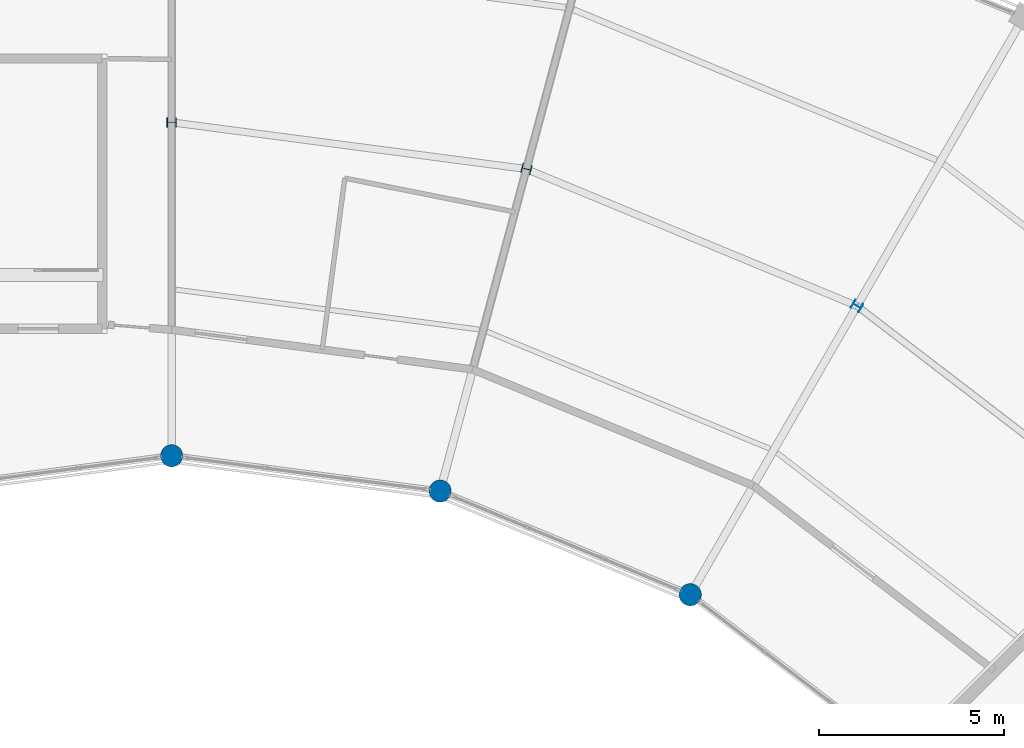
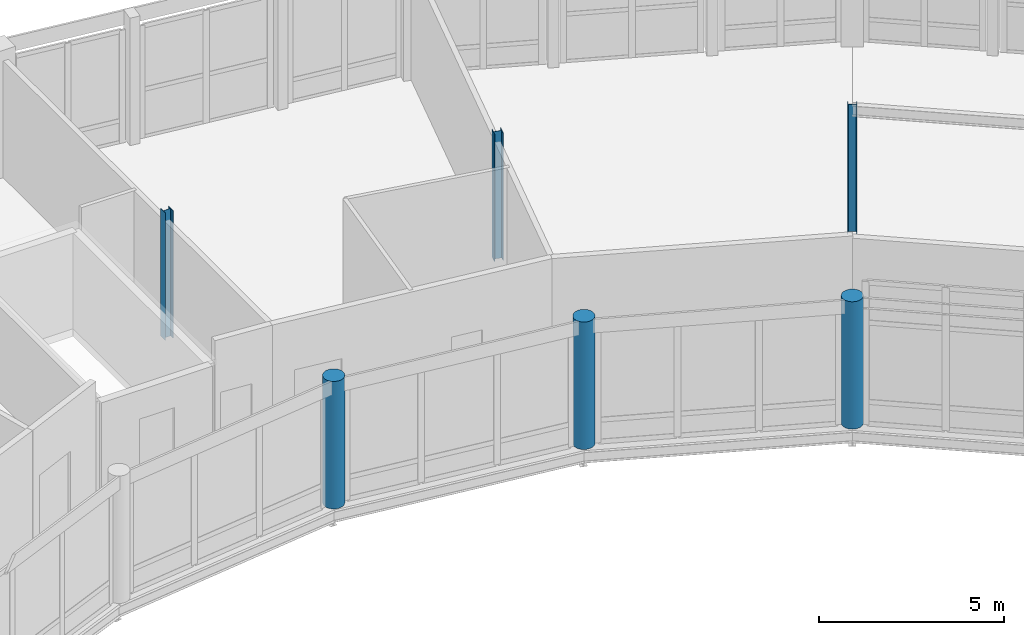
# One storey, part 11 of 200: 6 columns.
"""IFC4 building model written with IfcOpenShell, lengths in metres."""

from ifc_helpers import new_model, si_unit, direction, frame, origin, origin_2d, place, context, subcontext, project, spatial, circle, i_section, extrude, material, material_profile, profile_set, type_object, element, save


model = new_model("IFC4")

# Units and contexts
model_context = context("Model", 3, precision=1e-05, world=origin(), true_north=direction((0.0, 1.0)))
body_context = subcontext(model_context, "Body", "Model", "MODEL_VIEW")
ifc_project = project(units=[si_unit("LENGTHUNIT", "METRE"), si_unit("AREAUNIT", "SQUARE_METRE"), si_unit("VOLUMEUNIT", "CUBIC_METRE"), si_unit("PLANEANGLEUNIT", "RADIAN"), si_unit("MASSUNIT", "GRAM", prefix="KILO")], contexts=[model_context])

# Site, building, storey
site_placement = place(None, origin())
site = spatial("IfcSite", under=ifc_project, at=site_placement, CompositionType="ELEMENT")
building_placement = place(site_placement, origin())
building = spatial("IfcBuilding", under=site, at=building_placement, Name="Vondelvale Polytechnic", CompositionType="ELEMENT")
storey_placement = place(building_placement, frame((0.0, 0.0, 13.800048828125)))
storey = spatial("IfcBuildingStorey", under=building, at=storey_placement, Name="L03", CompositionType="ELEMENT", Elevation=13.800048828125)

# Columns
ifc_material_1 = material(Name="Concrete N50 (f'c = 50 MPa)", Category="concrete")
ifc_material_profile_1 = material_profile(ifc_material_1, circle(Radius=0.300048828125, at=origin_2d()), Name="RC-COL-D600")
ifc_profile_set_1 = profile_set([ifc_material_profile_1], Name="Concrete N50 (f'c = 50 MPa)")
column_type_1 = type_object("IfcColumnType", Name="COL-RCD600", PredefinedType="COLUMN", material=ifc_profile_set_1)
for number, where, z_axis, x_axis, name in (
    (1, (116.0, 96.248779296875, 0.0), (0.0, 0.0, 1.0), (0.5, 0.866025403784, 0.0), "L03 courtyard ring column S04-RI"),
    (2, (109.246826171875, 99.0458984375, 0.0), (0.0, 0.0, 1.0), (0.258819045103, 0.965925826289, 0.0), "L03 courtyard ring column S05-RI"),
    (3, (102.0, 100.0, 0.0), (0.0, 0.0, 1.0), (0.0, 1.0, 0.0), "L03 courtyard ring column S06-RI"),
):
    element("IfcColumn", number, at=place(storey_placement, frame(where, z_axis=z_axis, x_axis=x_axis)), inside=storey, type_object=column_type_1, Name=name, PredefinedType="COLUMN", context=body_context, shape_type="SweptSolid", body=[
        extrude(circle(Radius=0.300048828125, at=origin_2d()), origin(), (0.0, 0.0, 1.0), 4.199951171875),
    ])
ifc_material_2 = material(Name="Steel 300PLUS (fy = 300 MPa)", Category="steel")
ifc_material_profile_2 = material_profile(ifc_material_2, i_section(OverallWidth=0.25390625, OverallDepth=0.25390625, WebThickness=0.008544921875, FlangeThickness=0.01416015625, FilletRadius=0.013916015625, at=origin_2d()), Name="250UC72.9")
ifc_profile_set_2 = profile_set([ifc_material_profile_2], Name="Steel 300PLUS (fy = 300 MPa)")
column_type_2 = type_object("IfcColumnType", Name="COL-UC250L", PredefinedType="COLUMN", material=ifc_profile_set_2)
for number, where, z_axis, x_axis, name in (
    (4, (120.5, 104.04296875, 0.0), (0.0, 0.0, 1.0), (0.5, 0.866025403784, 0.0), "L03 courtyard ring column S04-RM"),
    (5, (111.576416015625, 107.7392578125, 0.0), (0.0, 0.0, 1.0), (0.258819045103, 0.965925826289, 0.0), "L03 courtyard ring column S05-RM"),
    (6, (102.0, 109.0, 0.0), (0.0, 0.0, 1.0), (0.0, 1.0, 0.0), "L03 courtyard ring column S06-RM"),
):
    element("IfcColumn", number, at=place(storey_placement, frame(where, z_axis=z_axis, x_axis=x_axis)), inside=storey, type_object=column_type_2, Name=name, PredefinedType="COLUMN", context=body_context, shape_type="SweptSolid", body=[
        extrude(i_section(OverallWidth=0.25390625, OverallDepth=0.25390625, WebThickness=0.008544921875, FlangeThickness=0.01416015625, FilletRadius=0.013916015625, at=origin_2d()), origin(), (0.0, 0.0, 1.0), 4.199951171875),
    ])

save(model, "model.ifc")
